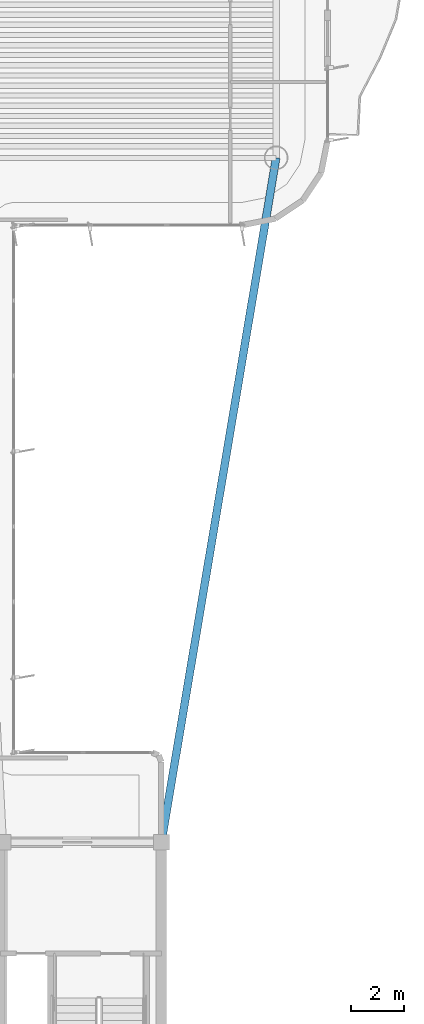
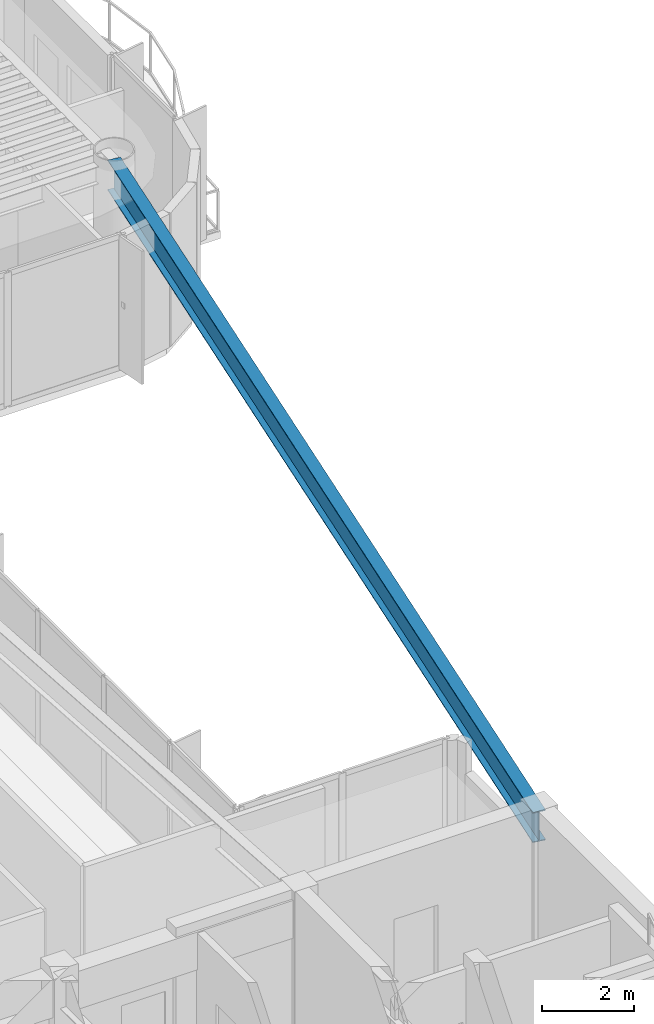
# One storey, part 4 of 15: 1 beam.
"""IFC4 building model written with IfcOpenShell, lengths in metres."""

from ifc_helpers import new_model, si_unit, direction, frame, origin, origin_2d, place, context, subcontext, project, spatial, i_section, extrude, source, transform, mapped, material, material_profile, profile_set, type_object, element, save


model = new_model("IFC4")

# Units and contexts
model_context = context("Model", 3, precision=1e-05, world=origin(), true_north=direction((0.0, 1.0)))
body_context = subcontext(model_context, "Body", "Model", "MODEL_VIEW")
ifc_project = project(units=[si_unit("LENGTHUNIT", "METRE"), si_unit("AREAUNIT", "SQUARE_METRE"), si_unit("VOLUMEUNIT", "CUBIC_METRE"), si_unit("PLANEANGLEUNIT", "RADIAN"), si_unit("MASSUNIT", "GRAM", prefix="KILO")], contexts=[model_context])

# Site, building, storey
site_placement = place(None, origin())
site = spatial("IfcSite", under=ifc_project, at=site_placement, CompositionType="ELEMENT")
building_placement = place(site_placement, origin())
building = spatial("IfcBuilding", under=site, at=building_placement, Name="Brelvock Crest Care Tower", CompositionType="ELEMENT")
storey_placement = place(building_placement, frame((0.0, 0.0, 275.93994140625)))
storey = spatial("IfcBuildingStorey", under=building, at=storey_placement, Name="L70", CompositionType="ELEMENT", Elevation=275.93994140625)

# Beam
ifc_material = material(Name="Steel Grade 350", Category="steel")
ifc_material_profile = material_profile(ifc_material, i_section(OverallWidth=0.300048828125, OverallDepth=0.800048828125, WebThickness=0.013916015625, FlangeThickness=0.02197265625, at=origin_2d()), Name="800WB192")
ifc_profile_set = profile_set([ifc_material_profile], Name="Steel Grade 350")
beam_type = type_object("IfcBeamType", Name="BM-G5", PredefinedType="BEAM", material=ifc_profile_set)
shared_shape = source(origin(), body_context, "Body", "SweptSolid", [
    extrude(i_section(OverallWidth=0.300048828125, OverallDepth=0.800048828125, WebThickness=0.013916015625, FlangeThickness=0.02197265625, at=origin_2d()), origin(), (0.0, 0.0, 1.0), 26.31201171875),
])
beam_placement = place(storey_placement, frame((48.0, 18.0, 3.130126953125), z_axis=(0.165327282709, 0.986238758918, 0.0), x_axis=(-0.986238758918, 0.165327282709, 0.0)))
element("IfcBeam", 1, at=beam_placement, inside=storey, type_object=beam_type, Name="BM-THRO-E-L70", PredefinedType="BEAM", context=body_context, shape_type="MappedRepresentation", body=[
    mapped(shared_shape, transform((0.0, 0.0, 0.0), x_axis=(1.0, 0.0, 0.0), y_axis=(0.0, 1.0, 0.0), z_axis=(0.0, 0.0, 1.0), scale=1.0)),
])

save(model, "model.ifc")
